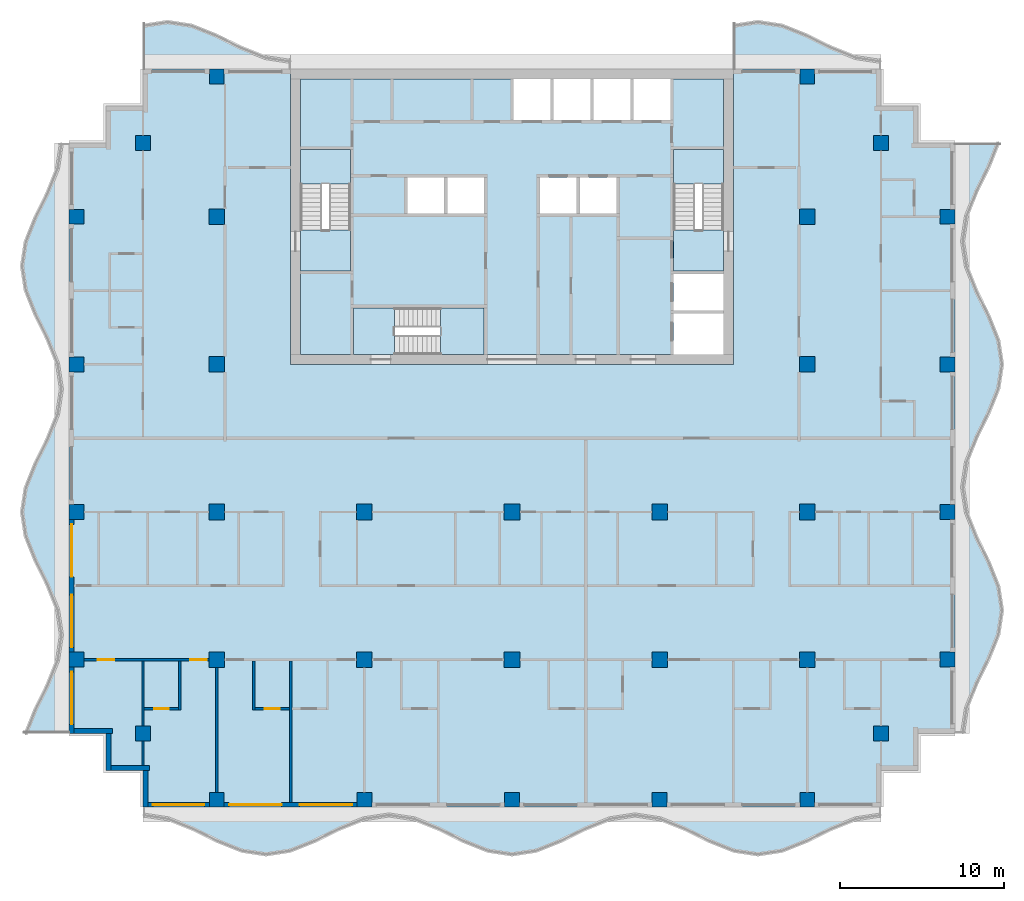
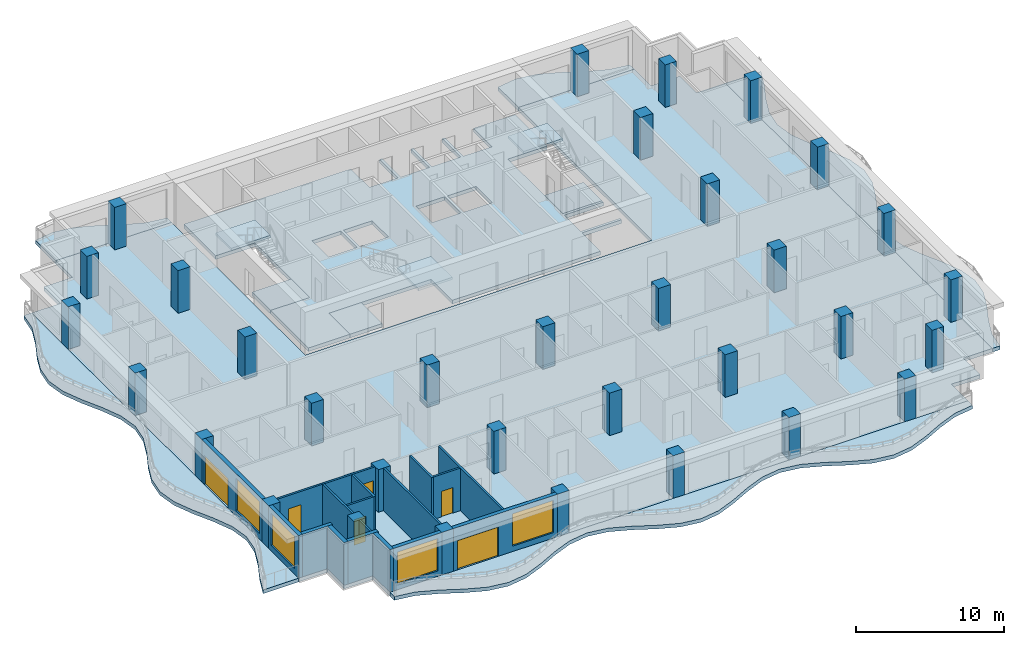
# One storey, part 1 of 12: 33 columns, 17 walls, 13 slabs, 6 doors, 4 windows, 10 openings, 3 elements without a shape of their own.
"""IFC4 building model written with IfcOpenShell, lengths in metres."""

from ifc_helpers import new_model, si_unit, direction, frame, frame_2d, origin, origin_2d, place, context, subcontext, project, spatial, polyline, rectangle, outline, extrude, material, layer, layer_set, material_profile, profile_set, type_object, element, fill, aggregate, save


model = new_model("IFC4")

# Units and contexts
model_context = context("Model", 3, precision=1e-05, world=origin(), true_north=direction((0.0, 1.0)))
body_context = subcontext(model_context, "Body", "Model", "MODEL_VIEW")
ifc_project = project(units=[si_unit("LENGTHUNIT", "METRE"), si_unit("AREAUNIT", "SQUARE_METRE"), si_unit("VOLUMEUNIT", "CUBIC_METRE"), si_unit("PLANEANGLEUNIT", "RADIAN"), si_unit("MASSUNIT", "GRAM", prefix="KILO")], contexts=[model_context])

# Site, building, storey
site_placement = place(None, origin())
site = spatial("IfcSite", under=ifc_project, at=site_placement, CompositionType="ELEMENT")
building_placement = place(site_placement, origin())
building = spatial("IfcBuilding", under=site, at=building_placement, Name="Orbiselva Terraces", CompositionType="ELEMENT")
storey_placement = place(building_placement, frame((0.0, 0.0, 265.4)))
storey = spatial("IfcBuildingStorey", under=building, at=storey_placement, Name="L67", CompositionType="ELEMENT", Elevation=265.4)

# Columns
ifc_material_1 = material(Name="Concrete C50/60", Category="concrete")
ifc_material_profile_1 = material_profile(ifc_material_1, rectangle(XDim=0.95, YDim=0.95, at=origin_2d()), Name="RC 950x950")
ifc_profile_set_1 = profile_set([ifc_material_profile_1], Name="Concrete C50/60")
column_type_1 = type_object("IfcColumnType", Name="COLUMN RC 950x950", PredefinedType="COLUMN", material=ifc_profile_set_1)
for number, where, z_axis, x_axis, name in (
    (1, (-18.0, -13.5, 0.0), (0.0, 0.0, 1.0), (1.0, 0.0, 0.0), "Column L67-01"),
    (2, (-18.0, -4.5, 0.0), (0.0, 0.0, 1.0), (1.0, 0.0, 0.0), "Column L67-03"),
    (3, (-18.0, 13.5, 0.0), (0.0, 0.0, 1.0), (1.0, 0.0, 0.0), "Column L67-04"),
    (4, (-18.0, 4.5, 0.0), (0.0, 0.0, 1.0), (1.0, 0.0, 0.0), "Column L67-06"),
    (5, (-9.0, -13.5, 0.0), (0.0, 0.0, 1.0), (1.0, 0.0, 0.0), "Column L67-13"),
    (6, (-9.0, -4.5, 0.0), (0.0, 0.0, 1.0), (1.0, 0.0, 0.0), "Column L67-15"),
    (7, (0.0, -13.5, 0.0), (0.0, 0.0, 1.0), (1.0, 0.0, 0.0), "Column L67-16"),
    (8, (0.0, -4.5, 0.0), (0.0, 0.0, 1.0), (1.0, 0.0, 0.0), "Column L67-18"),
    (9, (18.0, -13.5, 0.0), (0.0, 0.0, 1.0), (1.0, 0.0, 0.0), "Column L67-19"),
    (10, (18.0, -4.5, 0.0), (0.0, 0.0, 1.0), (1.0, 0.0, 0.0), "Column L67-21"),
    (11, (18.0, 13.5, 0.0), (0.0, 0.0, 1.0), (1.0, 0.0, 0.0), "Column L67-22"),
    (12, (18.0, 4.5, 0.0), (0.0, 0.0, 1.0), (1.0, 0.0, 0.0), "Column L67-24"),
    (13, (9.0, -13.5, 0.0), (0.0, 0.0, 1.0), (1.0, 0.0, 0.0), "Column L67-31"),
    (14, (9.0, -4.5, 0.0), (0.0, 0.0, 1.0), (1.0, 0.0, 0.0), "Column L67-33"),
):
    element("IfcColumn", number, at=place(storey_placement, frame(where, z_axis=z_axis, x_axis=x_axis)), inside=storey, type_object=column_type_1, Name=name, PredefinedType="COLUMN", context=body_context, shape_type="SweptSolid", body=[
        extrude(rectangle(XDim=0.95, YDim=0.95, at=origin_2d()), origin(), (0.0, 0.0, 1.0), 3.5),
    ])
ifc_material_profile_2 = material_profile(ifc_material_1, rectangle(XDim=0.9, YDim=0.9, at=origin_2d()), Name="RC 900x900")
ifc_profile_set_2 = profile_set([ifc_material_profile_2], Name="Concrete C50/60")
column_type_2 = type_object("IfcColumnType", Name="PERIMETER COLUMN RC 900x900", PredefinedType="COLUMN", material=ifc_profile_set_2)
for number, where, z_axis, x_axis, name in (
    (15, (-18.0, -22.05, 0.0), (0.0, 0.0, 1.0), (1.0, 0.0, 0.0), "Column L67-02"),
    (16, (-18.0, 22.05, 0.0), (0.0, 0.0, 1.0), (1.0, 0.0, 0.0), "Column L67-05"),
    (17, (-26.55, -13.5, 0.0), (0.0, 0.0, 1.0), (1.0, 0.0, 0.0), "Column L67-07"),
    (18, (-22.5, -18.0, 0.0), (0.0, 0.0, 1.0), (1.0, 0.0, 0.0), "Column L67-08"),
    (19, (-26.55, -4.5, 0.0), (0.0, 0.0, 1.0), (1.0, 0.0, 0.0), "Column L67-09"),
    (20, (-26.55, 13.5, 0.0), (0.0, 0.0, 1.0), (1.0, 0.0, 0.0), "Column L67-10"),
    (21, (-22.5, 18.0, 0.0), (0.0, 0.0, 1.0), (1.0, 0.0, 0.0), "Column L67-11"),
    (22, (-26.55, 4.5, 0.0), (0.0, 0.0, 1.0), (1.0, 0.0, 0.0), "Column L67-12"),
    (23, (-9.0, -22.05, 0.0), (0.0, 0.0, 1.0), (1.0, 0.0, 0.0), "Column L67-14"),
    (24, (0.0, -22.05, 0.0), (0.0, 0.0, 1.0), (1.0, 0.0, 0.0), "Column L67-17"),
    (25, (18.0, -22.05, 0.0), (0.0, 0.0, 1.0), (1.0, 0.0, 0.0), "Column L67-20"),
    (26, (18.0, 22.05, 0.0), (0.0, 0.0, 1.0), (1.0, 0.0, 0.0), "Column L67-23"),
    (27, (26.55, -13.5, 0.0), (0.0, 0.0, 1.0), (1.0, 0.0, 0.0), "Column L67-25"),
    (28, (22.5, -18.0, 0.0), (0.0, 0.0, 1.0), (1.0, 0.0, 0.0), "Column L67-26"),
    (29, (26.55, -4.5, 0.0), (0.0, 0.0, 1.0), (1.0, 0.0, 0.0), "Column L67-27"),
    (30, (26.55, 13.5, 0.0), (0.0, 0.0, 1.0), (1.0, 0.0, 0.0), "Column L67-28"),
    (31, (22.5, 18.0, 0.0), (0.0, 0.0, 1.0), (1.0, 0.0, 0.0), "Column L67-29"),
    (32, (26.55, 4.5, 0.0), (0.0, 0.0, 1.0), (1.0, 0.0, 0.0), "Column L67-30"),
    (33, (9.0, -22.05, 0.0), (0.0, 0.0, 1.0), (1.0, 0.0, 0.0), "Column L67-32"),
):
    element("IfcColumn", number, at=place(storey_placement, frame(where, z_axis=z_axis, x_axis=x_axis)), inside=storey, type_object=column_type_2, Name=name, PredefinedType="COLUMN", context=body_context, shape_type="SweptSolid", body=[
        extrude(rectangle(XDim=0.9, YDim=0.9, at=origin_2d()), origin(), (0.0, 0.0, 1.0), 3.5),
    ])

# Slabs
ifc_material_2 = material(Name="Concrete C40/50", Category="concrete")
ifc_layer_1 = layer(ifc_material_2, 0.3)
ifc_layer_set_1 = layer_set([ifc_layer_1], Name="Concrete C40/50")
slab_type_1 = type_object("IfcSlabType", Name="CORE-SLAB-FLOOR-300", PredefinedType="FLOOR", material=ifc_layer_set_1)
slab_1_placement = place(storey_placement, frame((0.0, 0.0, -0.3)))
element("IfcSlab", 34, at=slab_1_placement, inside=storey, type_object=slab_type_1, Name="L67 S1 floor landing", PredefinedType="FLOOR", context=body_context, shape_type="SweptSolid", body=[
    extrude(outline(polyline([(-12.9, 12.7), (-9.85, 12.7), (-9.85, 10.2), (-12.9, 10.2), (-12.9, 12.7)])), origin(), (0.0, 0.0, 1.0), 0.3),
])
slab_2_placement = place(storey_placement, frame((0.0, 0.0, -0.3)))
element("IfcSlab", 35, at=slab_2_placement, inside=storey, type_object=slab_type_1, Name="L67 S2 floor landing", PredefinedType="FLOOR", context=body_context, shape_type="SweptSolid", body=[
    extrude(outline(polyline([(12.9, 12.7), (12.9, 10.2), (9.85, 10.2), (9.85, 12.7), (12.9, 12.7)])), origin(), (0.0, 0.0, 1.0), 0.3),
])
slab_3_placement = place(storey_placement, frame((0.0, 0.0, -0.3)))
element("IfcSlab", 36, at=slab_3_placement, inside=storey, type_object=slab_type_1, Name="L67 S3 floor landing", PredefinedType="FLOOR", context=body_context, shape_type="SweptSolid", body=[
    extrude(outline(polyline([(-7.15, 5.1), (-9.65, 5.1), (-9.65, 7.95), (-7.15, 7.95), (-7.15, 5.1)])), origin(), (0.0, 0.0, 1.0), 0.3),
])
slab_4_placement = place(storey_placement, frame((0.0, 0.0, -0.3)))
element("IfcSlab", 37, at=slab_4_placement, inside=storey, type_object=slab_type_1, Name="L67 core floor slab 1", PredefinedType="FLOOR", context=body_context, shape_type="SweptSolid", body=[
    extrude(outline(polyline([(-1.7, 5.1), (-1.7, 7.95), (-9.65, 7.95), (-9.65, 5.1), (-12.9, 5.1), (-12.9, 10.2), (-9.85, 10.2), (-9.85, 17.6), (-12.9, 17.6), (-12.9, 21.9), (0.1, 21.9), (0.1, 19.4), (2.3375, 19.4), (2.3375, 21.9), (2.5375, 21.9), (2.5375, 19.4), (4.775, 19.4), (4.775, 21.9), (4.975, 21.9), (4.975, 19.4), (7.2125, 19.4), (7.2125, 21.9), (7.4125, 21.9), (7.4125, 19.4), (9.65, 19.4), (9.65, 21.9), (12.9, 21.9), (12.9, 17.6), (9.85, 17.6), (9.85, 10.2), (12.9, 10.2), (12.9, 10.0), (9.85, 10.0), (9.85, 7.8), (12.9, 7.8), (12.9, 7.6), (9.85, 7.6), (9.85, 5.1), (-1.7, 5.1)]), holes=[polyline([(-4.1375, 13.7), (-4.1375, 15.9), (-6.375, 15.9), (-6.375, 13.7), (-4.1375, 13.7)]), polyline([(-1.7, 13.7), (-1.7, 15.9), (-3.9375, 15.9), (-3.9375, 13.7), (-1.7, 13.7)]), polyline([(3.9375, 15.9), (1.7, 15.9), (1.7, 13.7), (3.9375, 13.7), (3.9375, 15.9)]), polyline([(6.375, 13.7), (6.375, 15.9), (4.1375, 15.9), (4.1375, 13.7), (6.375, 13.7)])]), origin(), (0.0, 0.0, 1.0), 0.3),
])

# Stair, slab
stair_type_1 = type_object("IfcStairType", Name="CORE-STAIR-1300", PredefinedType="HALF_TURN_STAIR", material=ifc_material_2)
stair_1_placement = place(storey_placement, origin())
stair_1 = element("IfcStair", 38, at=stair_1_placement, inside=storey, type_object=stair_type_1, Name="L67 Exit Stair S1", PredefinedType="HALF_TURN_STAIR")
ifc_layer_2 = layer(ifc_material_2, 0.2)
ifc_layer_set_2 = layer_set([ifc_layer_2], Name="Concrete C40/50")
slab_type_2 = type_object("IfcSlabType", Name="CORE-STAIR-LANDING-200", PredefinedType="LANDING", material=ifc_layer_set_2)
slab_5_placement = place(storey_placement, frame((0.0, 0.0, 1.7)))
slab_5 = element("IfcSlab", 39, at=slab_5_placement, type_object=slab_type_2, Name="S1 landing 1", PredefinedType="LANDING", context=body_context, shape_type="SweptSolid", body=[
    extrude(outline(polyline([(-9.85, 15.5), (-9.85, 17.6), (-12.9, 17.6), (-12.9, 15.5), (-9.85, 15.5)])), origin(), (0.0, 0.0, 1.0), 0.2),
])
aggregate(stair_1, [slab_5])

stair_2_placement = place(storey_placement, origin())
stair_2 = element("IfcStair", 40, at=stair_2_placement, inside=storey, type_object=stair_type_1, Name="L67 Exit Stair S2", PredefinedType="HALF_TURN_STAIR")
slab_6_placement = place(storey_placement, frame((0.0, 0.0, 1.7)))
slab_6 = element("IfcSlab", 41, at=slab_6_placement, type_object=slab_type_2, Name="S2 landing 1", PredefinedType="LANDING", context=body_context, shape_type="SweptSolid", body=[
    extrude(outline(polyline([(12.9, 15.5), (12.9, 17.6), (9.85, 17.6), (9.85, 15.5), (12.9, 15.5)])), origin(), (0.0, 0.0, 1.0), 0.2),
])
aggregate(stair_2, [slab_6])

stair_type_2 = type_object("IfcStairType", Name="CORE-STAIR-1200", PredefinedType="HALF_TURN_STAIR", material=ifc_material_2)
stair_3_placement = place(storey_placement, origin())
stair_3 = element("IfcStair", 42, at=stair_3_placement, inside=storey, type_object=stair_type_2, Name="L67 Exit Stair S3", PredefinedType="HALF_TURN_STAIR")
slab_7_placement = place(storey_placement, frame((0.0, 0.0, 1.7)))
slab_7 = element("IfcSlab", 43, at=slab_7_placement, type_object=slab_type_2, Name="S3 landing 1", PredefinedType="LANDING", context=body_context, shape_type="SweptSolid", body=[
    extrude(outline(polyline([(-4.35, 5.1), (-1.7, 5.1), (-1.7, 7.95), (-4.35, 7.95), (-4.35, 5.1)])), origin(), (0.0, 0.0, 1.0), 0.2),
])
aggregate(stair_3, [slab_7])

# Slabs
ifc_layer_3 = layer(ifc_material_1, 0.3)
ifc_layer_set_3 = layer_set([ifc_layer_3], Name="Concrete C50/60")
slab_type_3 = type_object("IfcSlabType", Name="ENV-BALCONY-SLAB-300", PredefinedType="FLOOR", material=ifc_layer_set_3)
slab_8_placement = place(storey_placement, frame((0.0, 0.0, -0.3)))
element("IfcSlab", 44, at=slab_8_placement, inside=storey, type_object=slab_type_3, Name="Balcony slab L67 S", PredefinedType="FLOOR", context=body_context, shape_type="SweptSolid", body=[
    extrude(outline(polyline([(-22.5, -23.1), (-21.0, -23.32918), (-19.5, -23.92918), (-18.0, -24.67082), (-16.5, -25.27082), (-15.0, -25.5), (-13.5, -25.27082), (-12.0, -24.67082), (-10.5, -23.92918), (-9.0, -23.32918), (-7.5, -23.1), (-6.0, -23.32918), (-4.5, -23.92918), (-3.0, -24.67082), (-1.5, -25.27082), (0.0, -25.5), (1.5, -25.27082), (3.0, -24.67082), (4.5, -23.92918), (6.0, -23.32918), (7.5, -23.1), (9.0, -23.32918), (10.5, -23.92918), (12.0, -24.67082), (13.5, -25.27082), (15.0, -25.5), (16.5, -25.27082), (18.0, -24.67082), (19.5, -23.92918), (21.0, -23.32918), (22.5, -23.1), (22.5, -22.5), (-22.5, -22.5), (-22.5, -23.1)])), origin(), (0.0, 0.0, 1.0), 0.3),
])
slab_9_placement = place(storey_placement, frame((0.0, 0.0, -0.3)))
element("IfcSlab", 45, at=slab_9_placement, inside=storey, type_object=slab_type_3, Name="Balcony slab L67 E", PredefinedType="FLOOR", context=body_context, shape_type="SweptSolid", body=[
    extrude(outline(polyline([(27.6, -18.0), (27.82918, -16.5), (28.42918, -15.0), (29.17082, -13.5), (29.77082, -12.0), (30.0, -10.5), (29.77082, -9.0), (29.17082, -7.5), (28.42918, -6.0), (27.82918, -4.5), (27.6, -3.0), (27.82918, -1.5), (28.42918, 0.0), (29.17082, 1.5), (29.77082, 3.0), (30.0, 4.5), (29.77082, 6.0), (29.17082, 7.5), (28.42918, 9.0), (27.82918, 10.5), (27.6, 12.0), (27.82918, 13.5), (28.42918, 15.0), (29.17082, 16.5), (29.77082, 18.0), (27.0, 18.0), (27.0, -18.0), (27.6, -18.0)])), origin(), (0.0, 0.0, 1.0), 0.3),
])
slab_10_placement = place(storey_placement, frame((0.0, 0.0, -0.3)))
element("IfcSlab", 46, at=slab_10_placement, inside=storey, type_object=slab_type_3, Name="Balcony slab L67 NE", PredefinedType="FLOOR", context=body_context, shape_type="SweptSolid", body=[
    extrude(outline(polyline([(22.5, 23.1), (21.0, 23.32918), (19.5, 23.92918), (18.0, 24.67082), (16.5, 25.27082), (15.0, 25.5), (13.5, 25.27082), (13.5, 22.5), (22.5, 22.5), (22.5, 23.1)])), origin(), (0.0, 0.0, 1.0), 0.3),
])
slab_11_placement = place(storey_placement, frame((0.0, 0.0, -0.3)))
element("IfcSlab", 47, at=slab_11_placement, inside=storey, type_object=slab_type_3, Name="Balcony slab L67 NW", PredefinedType="FLOOR", context=body_context, shape_type="SweptSolid", body=[
    extrude(outline(polyline([(-13.5, 23.1), (-15.0, 23.32918), (-16.5, 23.92918), (-18.0, 24.67082), (-19.5, 25.27082), (-21.0, 25.5), (-22.5, 25.27082), (-22.5, 22.5), (-13.5, 22.5), (-13.5, 23.1)])), origin(), (0.0, 0.0, 1.0), 0.3),
])
slab_12_placement = place(storey_placement, frame((0.0, 0.0, -0.3)))
element("IfcSlab", 48, at=slab_12_placement, inside=storey, type_object=slab_type_3, Name="Balcony slab L67 W", PredefinedType="FLOOR", context=body_context, shape_type="SweptSolid", body=[
    extrude(outline(polyline([(-27.6, 18.0), (-27.82918, 16.5), (-28.42918, 15.0), (-29.17082, 13.5), (-29.77082, 12.0), (-30.0, 10.5), (-29.77082, 9.0), (-29.17082, 7.5), (-28.42918, 6.0), (-27.82918, 4.5), (-27.6, 3.0), (-27.82918, 1.5), (-28.42918, 0.0), (-29.17082, -1.5), (-29.77082, -3.0), (-30.0, -4.5), (-29.77082, -6.0), (-29.17082, -7.5), (-28.42918, -9.0), (-27.82918, -10.5), (-27.6, -12.0), (-27.82918, -13.5), (-28.42918, -15.0), (-29.17082, -16.5), (-29.77082, -18.0), (-27.0, -18.0), (-27.0, 18.0), (-27.6, 18.0)])), origin(), (0.0, 0.0, 1.0), 0.3),
])
ifc_layer_4 = layer(ifc_material_1, 0.3)
ifc_layer_set_4 = layer_set([ifc_layer_4], Name="Concrete C50/60")
slab_type_4 = type_object("IfcSlabType", Name="FLOOR SLAB 300", PredefinedType="FLOOR", material=ifc_layer_set_4)
slab_13_placement = place(storey_placement, frame((0.0, 0.0, -0.3)))
element("IfcSlab", 49, at=slab_13_placement, inside=storey, type_object=slab_type_4, Name="Floor slab L67", PredefinedType="FLOOR", context=body_context, shape_type="SweptSolid", body=[
    extrude(outline(polyline([(22.5, 22.5), (22.5, 20.25), (24.75, 20.25), (24.75, 18.0), (27.0, 18.0), (27.0, -18.0), (24.75, -18.0), (24.75, -20.25), (22.5, -20.25), (22.5, -22.5), (-22.5, -22.5), (-22.5, -20.25), (-24.75, -20.25), (-24.75, -18.0), (-27.0, -18.0), (-27.0, 18.0), (-24.75, 18.0), (-24.75, 20.25), (-22.5, 20.25), (-22.5, 22.5), (-13.5, 22.5), (-13.5, 4.5), (13.5, 4.5), (13.5, 22.5), (22.5, 22.5)])), origin(), (0.0, 0.0, 1.0), 0.3),
])

# Wall, opening, window
ifc_material_3 = material(Name="Terracotta cladding on masonry backing", Category="masonry")
ifc_layer_5 = layer(ifc_material_3, 0.3)
ifc_layer_set_5 = layer_set([ifc_layer_5], Name="Terracotta cladding on masonry backing")
wall_type_1 = type_object("IfcWallType", Name="ENV-WALL-TERRACOTTA-300", PredefinedType="SOLIDWALL", material=ifc_layer_set_5)
wall_1_placement = place(storey_placement, frame((-18.45, -22.35, 0.0), z_axis=(0.0, 0.0, 1.0), x_axis=(-1.0, 0.0, 0.0)))
wall_1 = element("IfcWall", 50, at=wall_1_placement, inside=storey, type_object=wall_type_1, Name="Facade wall L67 S", PredefinedType="SOLIDWALL", context=body_context, shape_type="SweptSolid", body=[
    extrude(rectangle(XDim=3.75, YDim=0.3, at=frame_2d((1.875, 0.0))), origin(), (0.0, 0.0, 1.0), 3.5),
])
opening_1_placement = place(wall_1_placement, frame((0.3, 0.0, 0.45)))
opening_1 = element("IfcOpeningElement", 51, at=opening_1_placement, cuts=wall_1, Name="Opening WN16", PredefinedType="OPENING", context=body_context, shape_type="SweptSolid", body=[
    extrude(rectangle(XDim=3.15, YDim=2.65, at=frame_2d((1.575, 1.325))), frame((0.0, 0.16, 0.0), z_axis=(0.0, -1.0, 0.0), x_axis=(1.0, 0.0, 0.0)), (0.0, 0.0, 1.0), 0.32),
])
ifc_material_4 = material(Name="Clear low-e glazing in aluminium frame", Category="aluminium")
window_type_1 = type_object("IfcWindowType", Name="WINDOW 3150 X 2650 S450", PartitioningType="TRIPLE_PANEL_VERTICAL", PredefinedType="WINDOW", material=ifc_material_4)
window_1_placement = place(opening_1_placement, origin())
window_1 = element("IfcWindow", 52, at=window_1_placement, inside=storey, type_object=window_type_1, Name="Window L67 S", OverallHeight=2.65, OverallWidth=3.15, PartitioningType="SINGLE_PANEL", PredefinedType="WINDOW", context=body_context, shape_type="SweptSolid", body=[
    extrude(rectangle(XDim=3.15, YDim=2.65, at=frame_2d((1.575, 1.325))), frame((0.0, 0.03, 0.0), z_axis=(0.0, -1.0, 0.0), x_axis=(1.0, 0.0, 0.0)), (0.0, 0.0, 1.0), 0.06),
])
fill(opening_1, window_1)

# Wall, openings, door, window
wall_2_placement = place(storey_placement, frame((-9.45, -22.35, 0.0), z_axis=(0.0, 0.0, 1.0), x_axis=(-1.0, 0.0, 0.0)))
wall_2 = element("IfcWall", 53, at=wall_2_placement, inside=storey, type_object=wall_type_1, Name="Facade wall L67 S", PredefinedType="SOLIDWALL", context=body_context, shape_type="SweptSolid", body=[
    extrude(rectangle(XDim=8.1, YDim=0.3, at=frame_2d((4.05, 0.0))), origin(), (0.0, 0.0, 1.0), 3.5),
])
opening_2_placement = place(wall_2_placement, frame((4.6, 0.0, 0.0)))
opening_2 = element("IfcOpeningElement", 54, at=opening_2_placement, cuts=wall_2, Name="Opening Z5-C-E01", PredefinedType="OPENING", context=body_context, shape_type="SweptSolid", body=[
    extrude(rectangle(XDim=3.2, YDim=2.4, at=frame_2d((1.6, 1.2))), frame((0.0, 0.16, 0.0), z_axis=(0.0, -1.0, 0.0), x_axis=(1.0, 0.0, 0.0)), (0.0, 0.0, 1.0), 0.32),
])
opening_3_placement = place(wall_2_placement, frame((0.3, 0.0, 0.45)))
opening_3 = element("IfcOpeningElement", 55, at=opening_3_placement, cuts=wall_2, Name="Opening WN17", PredefinedType="OPENING", context=body_context, shape_type="SweptSolid", body=[
    extrude(rectangle(XDim=3.2, YDim=2.65, at=frame_2d((1.6, 1.325))), frame((0.0, 0.16, 0.0), z_axis=(0.0, -1.0, 0.0), x_axis=(1.0, 0.0, 0.0)), (0.0, 0.0, 1.0), 0.32),
])
door_type_1 = type_object("IfcDoorType", Name="BALCONY DOOR 3200 X 2400", OperationType="DOUBLE_DOOR_SLIDING", PredefinedType="DOOR", material=ifc_material_4)
door_1_placement = place(opening_2_placement, origin())
door_1 = element("IfcDoor", 56, at=door_1_placement, inside=storey, type_object=door_type_1, Name="Z5-C-E01", OperationType="SINGLE_SWING_LEFT", OverallHeight=2.4, OverallWidth=3.2, PredefinedType="DOOR", context=body_context, shape_type="SweptSolid", body=[
    extrude(rectangle(XDim=3.2, YDim=2.4, at=frame_2d((1.6, 1.2))), frame((0.0, 0.025, 0.0), z_axis=(0.0, -1.0, 0.0), x_axis=(1.0, 0.0, 0.0)), (0.0, 0.0, 1.0), 0.05),
])
fill(opening_2, door_1)
window_type_2 = type_object("IfcWindowType", Name="WINDOW 3200 X 2650 S450", PartitioningType="TRIPLE_PANEL_VERTICAL", PredefinedType="WINDOW", material=ifc_material_4)
window_2_placement = place(opening_3_placement, origin())
window_2 = element("IfcWindow", 57, at=window_2_placement, inside=storey, type_object=window_type_2, Name="Window L67 S", OverallHeight=2.65, OverallWidth=3.2, PartitioningType="SINGLE_PANEL", PredefinedType="WINDOW", context=body_context, shape_type="SweptSolid", body=[
    extrude(rectangle(XDim=3.2, YDim=2.65, at=frame_2d((1.6, 1.325))), frame((0.0, 0.03, 0.0), z_axis=(0.0, -1.0, 0.0), x_axis=(1.0, 0.0, 0.0)), (0.0, 0.0, 1.0), 0.06),
])
fill(opening_3, window_2)

wall_3_placement = place(storey_placement, frame((-26.85, -13.05, 0.0), z_axis=(0.0, 0.0, 1.0), x_axis=(0.0, 1.0, 0.0)))
wall_3 = element("IfcWall", 58, at=wall_3_placement, inside=storey, type_object=wall_type_1, Name="Facade wall L67 W", PredefinedType="SOLIDWALL", context=body_context, shape_type="SweptSolid", body=[
    extrude(rectangle(XDim=8.1, YDim=0.3, at=frame_2d((4.05, 0.0))), origin(), (0.0, 0.0, 1.0), 3.5),
])
opening_4_placement = place(wall_3_placement, frame((4.6, 0.0, 0.0)))
opening_4 = element("IfcOpeningElement", 59, at=opening_4_placement, cuts=wall_3, Name="Opening Z5-C-E12", PredefinedType="OPENING", context=body_context, shape_type="SweptSolid", body=[
    extrude(rectangle(XDim=3.2, YDim=2.4, at=frame_2d((1.6, 1.2))), frame((0.0, 0.16, 0.0), z_axis=(0.0, -1.0, 0.0), x_axis=(1.0, 0.0, 0.0)), (0.0, 0.0, 1.0), 0.32),
])
opening_5_placement = place(wall_3_placement, frame((0.3, 0.0, 0.45)))
opening_5 = element("IfcOpeningElement", 60, at=opening_5_placement, cuts=wall_3, Name="Opening WN17", PredefinedType="OPENING", context=body_context, shape_type="SweptSolid", body=[
    extrude(rectangle(XDim=3.2, YDim=2.65, at=frame_2d((1.6, 1.325))), frame((0.0, 0.16, 0.0), z_axis=(0.0, -1.0, 0.0), x_axis=(1.0, 0.0, 0.0)), (0.0, 0.0, 1.0), 0.32),
])
door_2_placement = place(opening_4_placement, origin())
door_2 = element("IfcDoor", 61, at=door_2_placement, inside=storey, type_object=door_type_1, Name="Z5-C-E12", OperationType="SINGLE_SWING_LEFT", OverallHeight=2.4, OverallWidth=3.2, PredefinedType="DOOR", context=body_context, shape_type="SweptSolid", body=[
    extrude(rectangle(XDim=3.2, YDim=2.4, at=frame_2d((1.6, 1.2))), frame((0.0, 0.025, 0.0), z_axis=(0.0, -1.0, 0.0), x_axis=(1.0, 0.0, 0.0)), (0.0, 0.0, 1.0), 0.05),
])
fill(opening_4, door_2)
window_3_placement = place(opening_5_placement, origin())
window_3 = element("IfcWindow", 62, at=window_3_placement, inside=storey, type_object=window_type_2, Name="Window L67 W", OverallHeight=2.65, OverallWidth=3.2, PartitioningType="SINGLE_PANEL", PredefinedType="WINDOW", context=body_context, shape_type="SweptSolid", body=[
    extrude(rectangle(XDim=3.2, YDim=2.65, at=frame_2d((1.6, 1.325))), frame((0.0, 0.03, 0.0), z_axis=(0.0, -1.0, 0.0), x_axis=(1.0, 0.0, 0.0)), (0.0, 0.0, 1.0), 0.06),
])
fill(opening_5, window_3)

# Wall, opening, window
wall_4_placement = place(storey_placement, frame((-26.85, -18.0, 0.0), z_axis=(0.0, 0.0, 1.0), x_axis=(0.0, 1.0, 0.0)))
wall_4 = element("IfcWall", 63, at=wall_4_placement, inside=storey, type_object=wall_type_1, Name="Facade wall L67 W", PredefinedType="SOLIDWALL", context=body_context, shape_type="SweptSolid", body=[
    extrude(rectangle(XDim=4.05, YDim=0.3, at=frame_2d((2.025, 0.0))), origin(), (0.0, 0.0, 1.0), 3.5),
])
opening_6_placement = place(wall_4_placement, frame((0.55, 0.0, 0.45)))
opening_6 = element("IfcOpeningElement", 64, at=opening_6_placement, cuts=wall_4, Name="Opening WN17", PredefinedType="OPENING", context=body_context, shape_type="SweptSolid", body=[
    extrude(rectangle(XDim=3.2, YDim=2.65, at=frame_2d((1.6, 1.325))), frame((0.0, 0.16, 0.0), z_axis=(0.0, -1.0, 0.0), x_axis=(1.0, 0.0, 0.0)), (0.0, 0.0, 1.0), 0.32),
])
window_4_placement = place(opening_6_placement, origin())
window_4 = element("IfcWindow", 65, at=window_4_placement, inside=storey, type_object=window_type_2, Name="Window L67 W", OverallHeight=2.65, OverallWidth=3.2, PartitioningType="SINGLE_PANEL", PredefinedType="WINDOW", context=body_context, shape_type="SweptSolid", body=[
    extrude(rectangle(XDim=3.2, YDim=2.65, at=frame_2d((1.6, 1.325))), frame((0.0, 0.03, 0.0), z_axis=(0.0, -1.0, 0.0), x_axis=(1.0, 0.0, 0.0)), (0.0, 0.0, 1.0), 0.06),
])
fill(opening_6, window_4)

# Walls
wall_5_placement = place(storey_placement, frame((-24.35, -17.85, 0.0), z_axis=(0.0, 0.0, 1.0), x_axis=(-1.0, 0.0, 0.0)))
element("IfcWall", 66, at=wall_5_placement, inside=storey, type_object=wall_type_1, Name="Facade wall L67 STEP", PredefinedType="SOLIDWALL", context=body_context, shape_type="SweptSolid", body=[
    extrude(rectangle(XDim=2.35, YDim=0.3, at=frame_2d((1.175, 0.0))), origin(), (0.0, 0.0, 1.0), 3.5),
])
wall_6_placement = place(storey_placement, frame((-24.6, -20.25, 0.0), z_axis=(0.0, 0.0, 1.0), x_axis=(0.0, 1.0, 0.0)))
element("IfcWall", 67, at=wall_6_placement, inside=storey, type_object=wall_type_1, Name="Facade wall L67 STEP", PredefinedType="SOLIDWALL", context=body_context, shape_type="SweptSolid", body=[
    extrude(rectangle(XDim=2.25, YDim=0.3, at=frame_2d((1.125, 0.0))), origin(), (0.0, 0.0, 1.0), 3.5),
])
wall_7_placement = place(storey_placement, frame((-22.1, -20.1, 0.0), z_axis=(0.0, 0.0, 1.0), x_axis=(-1.0, 0.0, 0.0)))
element("IfcWall", 68, at=wall_7_placement, inside=storey, type_object=wall_type_1, Name="Facade wall L67 STEP", PredefinedType="SOLIDWALL", context=body_context, shape_type="SweptSolid", body=[
    extrude(rectangle(XDim=2.35, YDim=0.3, at=frame_2d((1.175, 0.0))), origin(), (0.0, 0.0, 1.0), 3.5),
])
wall_8_placement = place(storey_placement, frame((-22.35, -22.5, 0.0), z_axis=(0.0, 0.0, 1.0), x_axis=(0.0, 1.0, 0.0)))
element("IfcWall", 69, at=wall_8_placement, inside=storey, type_object=wall_type_1, Name="Facade wall L67 STEP", PredefinedType="SOLIDWALL", context=body_context, shape_type="SweptSolid", body=[
    extrude(rectangle(XDim=2.25, YDim=0.3, at=frame_2d((1.125, 0.0))), origin(), (0.0, 0.0, 1.0), 3.5),
])

# Wall, opening, door
ifc_material_5 = material(Name="Plasterboard on steel stud partition", Category="steel")
ifc_layer_6 = layer(ifc_material_5, 0.15)
ifc_layer_set_6 = layer_set([ifc_layer_6], Name="Plasterboard on steel stud partition")
wall_type_2 = type_object("IfcWallType", Name="UNIT-PARTITION-150", PredefinedType="PARTITIONING", material=ifc_layer_set_6)
wall_9_placement = place(storey_placement, frame((-22.425, -16.5, 0.0), z_axis=(0.0, 0.0, 1.0), x_axis=(1.0, 0.0, 0.0)))
wall_9 = element("IfcWall", 70, at=wall_9_placement, inside=storey, type_object=wall_type_2, Name="PARTITION L67-001", PredefinedType="PARTITIONING", context=body_context, shape_type="SweptSolid", body=[
    extrude(rectangle(XDim=2.1, YDim=0.15, at=frame_2d((1.05, 0.0))), origin(), (0.0, 0.0, 1.0), 3.5),
])
opening_7_placement = place(wall_9_placement, frame((0.6, 0.0, 0.0)))
opening_7 = element("IfcOpeningElement", 71, at=opening_7_placement, cuts=wall_9, Name="Opening Z5-C-35", PredefinedType="OPENING", context=body_context, shape_type="SweptSolid", body=[
    extrude(rectangle(XDim=0.9, YDim=2.1, at=frame_2d((0.45, 1.05))), frame((0.0, 0.085, 0.0), z_axis=(0.0, -1.0, 0.0), x_axis=(1.0, 0.0, 0.0)), (0.0, 0.0, 1.0), 0.17),
])
ifc_material_6 = material(Name="Painted timber door leaf", Category="wood")
door_type_2 = type_object("IfcDoorType", Name="BATH DOOR 900", OperationType="NOTDEFINED", PredefinedType="DOOR", material=ifc_material_6)
door_3_placement = place(opening_7_placement, origin())
door_3 = element("IfcDoor", 72, at=door_3_placement, inside=storey, type_object=door_type_2, Name="Z5-C-35", OperationType="SINGLE_SWING_LEFT", OverallHeight=2.1, OverallWidth=0.9, PredefinedType="DOOR", context=body_context, shape_type="SweptSolid", body=[
    extrude(rectangle(XDim=0.9, YDim=2.1, at=frame_2d((0.45, 1.05))), frame((0.0, 0.025, 0.0), z_axis=(0.0, -1.0, 0.0), x_axis=(1.0, 0.0, 0.0)), (0.0, 0.0, 1.0), 0.05),
])
fill(opening_7, door_3)

wall_10_placement = place(storey_placement, frame((-15.675, -16.5, 0.0), z_axis=(0.0, 0.0, 1.0), x_axis=(1.0, 0.0, 0.0)))
wall_10 = element("IfcWall", 73, at=wall_10_placement, inside=storey, type_object=wall_type_2, Name="PARTITION L67-002", PredefinedType="PARTITIONING", context=body_context, shape_type="SweptSolid", body=[
    extrude(rectangle(XDim=2.1, YDim=0.15, at=frame_2d((1.05, 0.0))), origin(), (0.0, 0.0, 1.0), 3.5),
])
opening_8_placement = place(wall_10_placement, frame((0.6, 0.0, 0.0)))
opening_8 = element("IfcOpeningElement", 74, at=opening_8_placement, cuts=wall_10, Name="Opening Z5-C-33", PredefinedType="OPENING", context=body_context, shape_type="SweptSolid", body=[
    extrude(rectangle(XDim=0.9, YDim=2.1, at=frame_2d((0.45, 1.05))), frame((0.0, 0.085, 0.0), z_axis=(0.0, -1.0, 0.0), x_axis=(1.0, 0.0, 0.0)), (0.0, 0.0, 1.0), 0.17),
])
door_4_placement = place(opening_8_placement, origin())
door_4 = element("IfcDoor", 75, at=door_4_placement, inside=storey, type_object=door_type_2, Name="Z5-C-33", OperationType="SINGLE_SWING_LEFT", OverallHeight=2.1, OverallWidth=0.9, PredefinedType="DOOR", context=body_context, shape_type="SweptSolid", body=[
    extrude(rectangle(XDim=0.9, YDim=2.1, at=frame_2d((0.45, 1.05))), frame((0.0, 0.025, 0.0), z_axis=(0.0, -1.0, 0.0), x_axis=(1.0, 0.0, 0.0)), (0.0, 0.0, 1.0), 0.05),
])
fill(opening_8, door_4)

# Wall, openings, doors
wall_11_placement = place(storey_placement, frame((-18.475, -13.5, 0.0), z_axis=(0.0, 0.0, 1.0), x_axis=(-1.0, 0.0, 0.0)))
wall_11 = element("IfcWall", 76, at=wall_11_placement, inside=storey, type_object=wall_type_2, Name="PARTITION L67-009", PredefinedType="PARTITIONING", context=body_context, shape_type="SweptSolid", body=[
    extrude(rectangle(XDim=7.625, YDim=0.15, at=frame_2d((3.8125, 0.0))), origin(), (0.0, 0.0, 1.0), 3.5),
])
opening_9_placement = place(wall_11_placement, frame((0.15, 0.0, 0.0)))
opening_9 = element("IfcOpeningElement", 77, at=opening_9_placement, cuts=wall_11, Name="Opening Z5-C-34", PredefinedType="OPENING", context=body_context, shape_type="SweptSolid", body=[
    extrude(rectangle(XDim=1.0, YDim=2.4, at=frame_2d((0.5, 1.2))), frame((0.0, 0.085, 0.0), z_axis=(0.0, -1.0, 0.0), x_axis=(1.0, 0.0, 0.0)), (0.0, 0.0, 1.0), 0.17),
])
opening_10_placement = place(wall_11_placement, frame((5.775, 0.0, 0.0)))
opening_10 = element("IfcOpeningElement", 78, at=opening_10_placement, cuts=wall_11, Name="Opening Z5-C-36", PredefinedType="OPENING", context=body_context, shape_type="SweptSolid", body=[
    extrude(rectangle(XDim=1.0, YDim=2.4, at=frame_2d((0.5, 1.2))), frame((0.0, 0.085, 0.0), z_axis=(0.0, -1.0, 0.0), x_axis=(1.0, 0.0, 0.0)), (0.0, 0.0, 1.0), 0.17),
])
door_type_3 = type_object("IfcDoorType", Name="ROOM DOOR 1000", OperationType="NOTDEFINED", PredefinedType="DOOR", material=ifc_material_6)
door_5_placement = place(opening_9_placement, origin())
door_5 = element("IfcDoor", 79, at=door_5_placement, inside=storey, type_object=door_type_3, Name="Z5-C-34", OperationType="SINGLE_SWING_LEFT", OverallHeight=2.4, OverallWidth=1.0, PredefinedType="DOOR", context=body_context, shape_type="SweptSolid", body=[
    extrude(rectangle(XDim=1.0, YDim=2.4, at=frame_2d((0.5, 1.2))), frame((0.0, 0.025, 0.0), z_axis=(0.0, -1.0, 0.0), x_axis=(1.0, 0.0, 0.0)), (0.0, 0.0, 1.0), 0.05),
])
fill(opening_9, door_5)
door_6_placement = place(opening_10_placement, origin())
door_6 = element("IfcDoor", 80, at=door_6_placement, inside=storey, type_object=door_type_3, Name="Z5-C-36", OperationType="SINGLE_SWING_RIGHT", OverallHeight=2.4, OverallWidth=1.0, PredefinedType="DOOR", context=body_context, shape_type="SweptSolid", body=[
    extrude(rectangle(XDim=1.0, YDim=2.4, at=frame_2d((0.5, 1.2))), frame((0.0, 0.025, 0.0), z_axis=(0.0, -1.0, 0.0), x_axis=(1.0, 0.0, 0.0)), (0.0, 0.0, 1.0), 0.05),
])
fill(opening_10, door_6)

# Walls
wall_12_placement = place(storey_placement, frame((-22.5, -19.95, 0.0), z_axis=(0.0, 0.0, 1.0), x_axis=(0.0, 1.0, 0.0)))
element("IfcWall", 81, at=wall_12_placement, inside=storey, type_object=wall_type_2, Name="PARTITION L67-045", PredefinedType="PARTITIONING", context=body_context, shape_type="SweptSolid", body=[
    extrude(rectangle(XDim=1.5, YDim=0.15, at=frame_2d((0.75, 0.0))), origin(), (0.0, 0.0, 1.0), 3.5),
])
wall_13_placement = place(storey_placement, frame((-22.5, -17.55, 0.0), z_axis=(0.0, 0.0, 1.0), x_axis=(0.0, 1.0, 0.0)))
element("IfcWall", 82, at=wall_13_placement, inside=storey, type_object=wall_type_2, Name="PARTITION L67-046", PredefinedType="PARTITIONING", context=body_context, shape_type="SweptSolid", body=[
    extrude(rectangle(XDim=3.975, YDim=0.15, at=frame_2d((1.9875, 0.0))), origin(), (0.0, 0.0, 1.0), 3.5),
])
wall_14_placement = place(storey_placement, frame((-20.25, -16.575, 0.0), z_axis=(0.0, 0.0, 1.0), x_axis=(0.0, 1.0, 0.0)))
element("IfcWall", 83, at=wall_14_placement, inside=storey, type_object=wall_type_2, Name="PARTITION L67-050", PredefinedType="PARTITIONING", context=body_context, shape_type="SweptSolid", body=[
    extrude(rectangle(XDim=3.0, YDim=0.15, at=frame_2d((1.5, 0.0))), origin(), (0.0, 0.0, 1.0), 3.5),
])
wall_15_placement = place(storey_placement, frame((-18.0, -21.6, 0.0), z_axis=(0.0, 0.0, 1.0), x_axis=(0.0, 1.0, 0.0)))
element("IfcWall", 84, at=wall_15_placement, inside=storey, type_object=wall_type_2, Name="PARTITION L67-052", PredefinedType="PARTITIONING", context=body_context, shape_type="SweptSolid", body=[
    extrude(rectangle(XDim=7.625, YDim=0.15, at=frame_2d((3.8125, 0.0))), origin(), (0.0, 0.0, 1.0), 3.5),
])
wall_16_placement = place(storey_placement, frame((-15.75, -16.575, 0.0), z_axis=(0.0, 0.0, 1.0), x_axis=(0.0, 1.0, 0.0)))
element("IfcWall", 85, at=wall_16_placement, inside=storey, type_object=wall_type_2, Name="PARTITION L67-058", PredefinedType="PARTITIONING", context=body_context, shape_type="SweptSolid", body=[
    extrude(rectangle(XDim=3.0, YDim=0.15, at=frame_2d((1.5, 0.0))), origin(), (0.0, 0.0, 1.0), 3.5),
])
wall_17_placement = place(storey_placement, frame((-13.5, -22.2, 0.0), z_axis=(0.0, 0.0, 1.0), x_axis=(0.0, 1.0, 0.0)))
element("IfcWall", 86, at=wall_17_placement, inside=storey, type_object=wall_type_2, Name="PARTITION L67-060", PredefinedType="PARTITIONING", context=body_context, shape_type="SweptSolid", body=[
    extrude(rectangle(XDim=8.625, YDim=0.15, at=frame_2d((4.3125, 0.0))), origin(), (0.0, 0.0, 1.0), 3.5),
])

save(model, "model.ifc")
